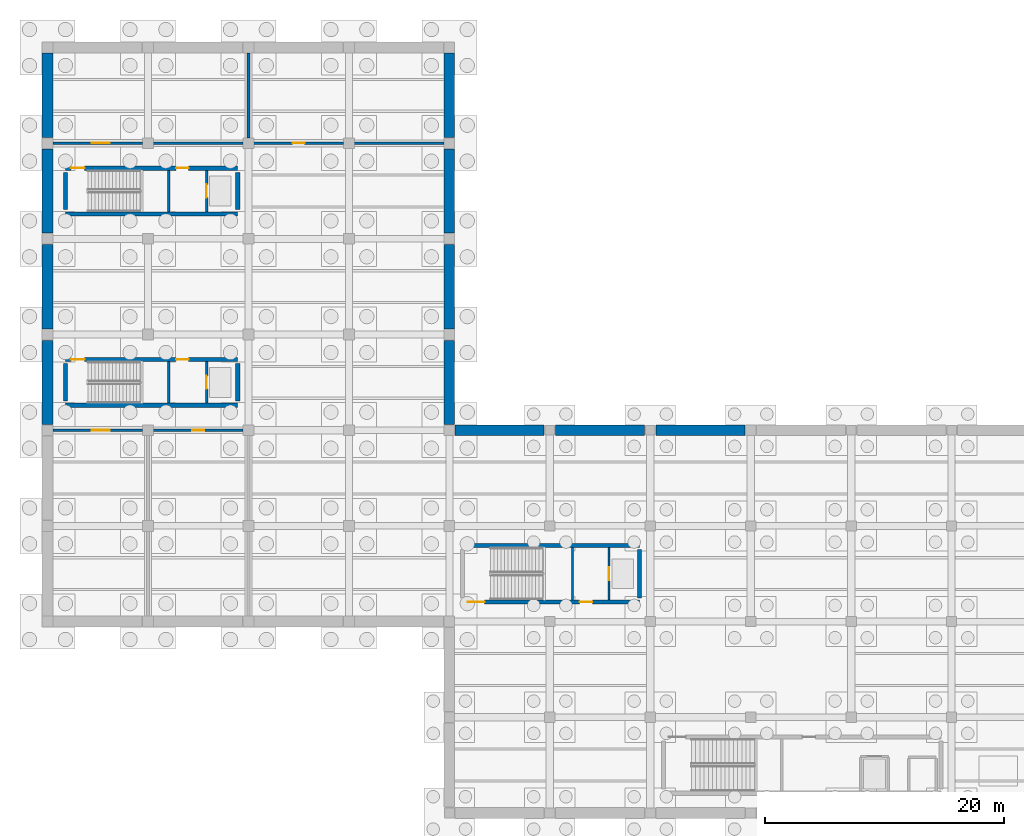
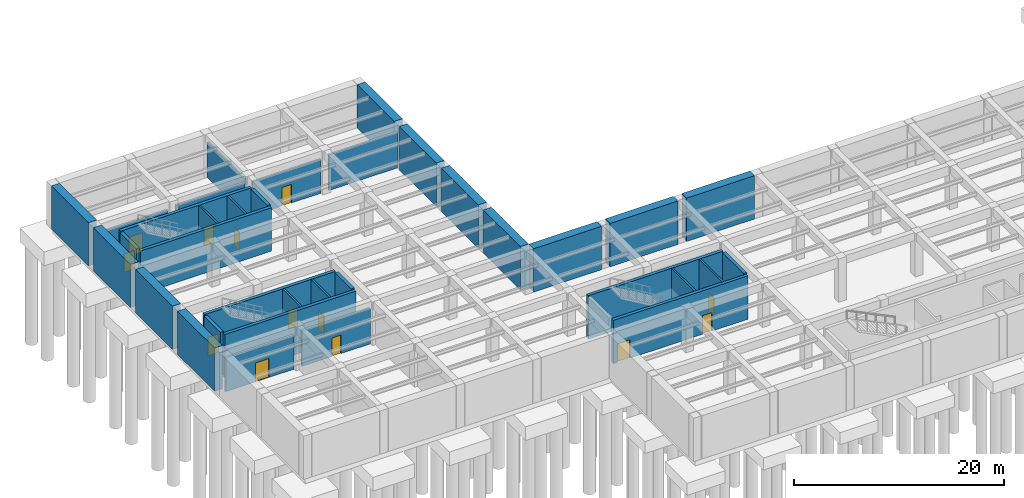
# One storey, part 6 of 12: 35 walls, 13 doors, 13 openings.
"""IFC4 building model written with IfcOpenShell, lengths in metres."""

from ifc_helpers import new_model, si_unit, direction, frame, frame_2d, origin, place, context, subcontext, project, spatial, rectangle, extrude, material, layer, layer_set, type_object, element, fill, save


model = new_model("IFC4")

# Units and contexts
model_context = context("Model", 3, precision=1e-05, world=origin(), true_north=direction((0.0, 1.0)))
body_context = subcontext(model_context, "Body", "Model", "MODEL_VIEW")
ifc_project = project(units=[si_unit("LENGTHUNIT", "METRE"), si_unit("AREAUNIT", "SQUARE_METRE"), si_unit("VOLUMEUNIT", "CUBIC_METRE"), si_unit("PLANEANGLEUNIT", "RADIAN"), si_unit("MASSUNIT", "GRAM", prefix="KILO")], contexts=[model_context])

# Site, building, storey
site_placement = place(None, origin())
site = spatial("IfcSite", under=ifc_project, at=site_placement, CompositionType="ELEMENT")
building_placement = place(site_placement, origin())
building = spatial("IfcBuilding", under=site, at=building_placement, Name="Kranzveld Transit Interchange", CompositionType="ELEMENT")
storey_placement = place(building_placement, frame((0.0, 0.0, -10.8798828125)))
storey = spatial("IfcBuildingStorey", under=building, at=storey_placement, Name="B2", CompositionType="ELEMENT", Elevation=-10.8798828125)

# Wall
ifc_material_1 = material(Name="Concrete C40/50", Category="concrete")
ifc_layer_1 = layer(ifc_material_1, 0.35009765625)
ifc_layer_set_1 = layer_set([ifc_layer_1], Name="Concrete C40/50")
wall_type_1 = type_object("IfcWallType", Name="Core Shear Wall RC 350 C40/50", PredefinedType="SHEAR", material=ifc_layer_set_1)
wall_1_placement = place(storey_placement, frame((1.5, 66.090087890625, 0.0), z_axis=(0.0, 0.0, 1.0), x_axis=(1.0, 0.0, 0.0)))
element("IfcWall", 1, at=wall_1_placement, inside=storey, type_object=wall_type_1, Name="B2 Operations Core C1 Shear Wall S", PredefinedType="SHEAR", context=body_context, shape_type="SweptSolid", body=[
    extrude(rectangle(XDim=14.39990234375, YDim=0.35009765625, at=frame_2d((7.199951171875, 0.0))), origin(), (0.0, 0.0, 1.0), 5.039794921875),
])

# Wall, openings, doors
wall_2_placement = place(storey_placement, frame((1.5, 69.909912109375, 0.0), z_axis=(0.0, 0.0, 1.0), x_axis=(1.0, 0.0, 0.0)))
wall_2 = element("IfcWall", 2, at=wall_2_placement, inside=storey, type_object=wall_type_1, Name="B2 Operations Core C1 Shear Wall N", PredefinedType="SHEAR", context=body_context, shape_type="SweptSolid", body=[
    extrude(rectangle(XDim=14.39990234375, YDim=0.35009765625, at=frame_2d((7.199951171875, 0.0))), origin(), (0.0, 0.0, 1.0), 5.039794921875),
])
opening_1_placement = place(wall_2_placement, frame((0.449951171875, 0.0, 0.0), z_axis=(0.0, 0.0, 1.0), x_axis=(1.0, 0.0, 0.0)))
opening_1 = element("IfcOpeningElement", 3, at=opening_1_placement, cuts=wall_2, Name="Opening D-ST-C1-B2", PredefinedType="OPENING", context=body_context, shape_type="SweptSolid", body=[
    extrude(rectangle(XDim=1.14990234375, YDim=2.14990234375, at=frame_2d((0.574951171875, 1.074951171875))), frame((0.0, 0.18505859375, 0.0), z_axis=(0.0, -1.0, 0.0), x_axis=(1.0, 0.0, 0.0)), (0.0, 0.0, 1.0), 0.3701171875),
])
opening_2_placement = place(wall_2_placement, frame((9.25, 0.0, 0.0), z_axis=(0.0, 0.0, 1.0), x_axis=(1.0, 0.0, 0.0)))
opening_2 = element("IfcOpeningElement", 4, at=opening_2_placement, cuts=wall_2, Name="Opening D-LB-C1-B2", PredefinedType="OPENING", context=body_context, shape_type="SweptSolid", body=[
    extrude(rectangle(XDim=1.050048828125, YDim=2.14990234375, at=frame_2d((0.52490234375, 1.074951171875))), frame((0.0, 0.18505859375, 0.0), z_axis=(0.0, -1.0, 0.0), x_axis=(1.0, 0.0, 0.0)), (0.0, 0.0, 1.0), 0.3701171875),
])
ifc_material_2 = material(Name="Steel S355JR", Category="steel")
door_type_1 = type_object("IfcDoorType", Name="Lift Lobby Fire Door 1050x2150 FD120S", OperationType="NOTDEFINED", PredefinedType="DOOR", material=ifc_material_2)
door_1_placement = place(opening_2_placement, origin())
door_1 = element("IfcDoor", 5, at=door_1_placement, inside=storey, type_object=door_type_1, Name="B2 Operations Core C1 Lift Protected Lobby Door", OperationType="SINGLE_SWING_RIGHT", OverallHeight=2.14990234375, OverallWidth=1.050048828125, PredefinedType="DOOR", context=body_context, shape_type="SweptSolid", body=[
    extrude(rectangle(XDim=1.050048828125, YDim=2.14990234375, at=frame_2d((0.52490234375, 1.074951171875))), frame((0.0, 0.02490234375, 0.0), z_axis=(0.0, -1.0, 0.0), x_axis=(1.0, 0.0, 0.0)), (0.0, 0.0, 1.0), 0.050048828125),
])
fill(opening_2, door_1)
ifc_material_3 = material(Name="Steel S355JR", Category="steel")
door_type_2 = type_object("IfcDoorType", Name="Stair Core Fire Door 1150x2150 FD120S", OperationType="NOTDEFINED", PredefinedType="DOOR", material=ifc_material_3)
door_2_placement = place(opening_1_placement, origin())
door_2 = element("IfcDoor", 6, at=door_2_placement, inside=storey, type_object=door_type_2, Name="B2 ST-C1 Protected Stair Door", OperationType="SINGLE_SWING_RIGHT", OverallHeight=2.14990234375, OverallWidth=1.14990234375, PredefinedType="DOOR", context=body_context, shape_type="SweptSolid", body=[
    extrude(rectangle(XDim=1.14990234375, YDim=2.14990234375, at=frame_2d((0.574951171875, 1.074951171875))), frame((0.0, 0.02490234375, 0.0), z_axis=(0.0, -1.0, 0.0), x_axis=(1.0, 0.0, 0.0)), (0.0, 0.0, 1.0), 0.050048828125),
])
fill(opening_1, door_2)

# Walls
for number, where, z_axis, x_axis, name in (
    (7, (1.5, 66.43994140625, 0.0), (0.0, 0.0, 1.0), (0.0, 1.0, 0.0), "B2 Operations Core C1 Shear Wall W"),
    (8, (15.89990234375, 66.43994140625, 0.0), (0.0, 0.0, 1.0), (0.0, 1.0, 0.0), "B2 Operations Core C1 Shear Wall E"),
):
    element("IfcWall", number, at=place(storey_placement, frame(where, z_axis=z_axis, x_axis=x_axis)), inside=storey, type_object=wall_type_1, Name=name, PredefinedType="SHEAR", context=body_context, shape_type="SweptSolid", body=[
        extrude(rectangle(XDim=3.1201171875, YDim=0.35009765625, at=frame_2d((1.56005859375, 0.0))), origin(), (0.0, 0.0, 1.0), 5.039794921875),
    ])
wall_3_placement = place(storey_placement, frame((1.5, 82.090087890625, 0.0), z_axis=(0.0, 0.0, 1.0), x_axis=(1.0, 0.0, 0.0)))
element("IfcWall", 9, at=wall_3_placement, inside=storey, type_object=wall_type_1, Name="B2 Operations Core C2 Shear Wall S", PredefinedType="SHEAR", context=body_context, shape_type="SweptSolid", body=[
    extrude(rectangle(XDim=14.39990234375, YDim=0.35009765625, at=frame_2d((7.199951171875, 0.0))), origin(), (0.0, 0.0, 1.0), 5.039794921875),
])

# Wall, openings, doors
wall_4_placement = place(storey_placement, frame((1.5, 85.909912109375, 0.0), z_axis=(0.0, 0.0, 1.0), x_axis=(1.0, 0.0, 0.0)))
wall_4 = element("IfcWall", 10, at=wall_4_placement, inside=storey, type_object=wall_type_1, Name="B2 Operations Core C2 Shear Wall N", PredefinedType="SHEAR", context=body_context, shape_type="SweptSolid", body=[
    extrude(rectangle(XDim=14.39990234375, YDim=0.35009765625, at=frame_2d((7.199951171875, 0.0))), origin(), (0.0, 0.0, 1.0), 5.039794921875),
])
opening_3_placement = place(wall_4_placement, frame((0.449951171875, 0.0, 0.0), z_axis=(0.0, 0.0, 1.0), x_axis=(1.0, 0.0, 0.0)))
opening_3 = element("IfcOpeningElement", 11, at=opening_3_placement, cuts=wall_4, Name="Opening D-ST-C2-B2", PredefinedType="OPENING", context=body_context, shape_type="SweptSolid", body=[
    extrude(rectangle(XDim=1.14990234375, YDim=2.14990234375, at=frame_2d((0.574951171875, 1.074951171875))), frame((0.0, 0.18505859375, 0.0), z_axis=(0.0, -1.0, 0.0), x_axis=(1.0, 0.0, 0.0)), (0.0, 0.0, 1.0), 0.3701171875),
])
opening_4_placement = place(wall_4_placement, frame((9.25, 0.0, 0.0), z_axis=(0.0, 0.0, 1.0), x_axis=(1.0, 0.0, 0.0)))
opening_4 = element("IfcOpeningElement", 12, at=opening_4_placement, cuts=wall_4, Name="Opening D-LB-C2-B2", PredefinedType="OPENING", context=body_context, shape_type="SweptSolid", body=[
    extrude(rectangle(XDim=1.050048828125, YDim=2.14990234375, at=frame_2d((0.52490234375, 1.074951171875))), frame((0.0, 0.18505859375, 0.0), z_axis=(0.0, -1.0, 0.0), x_axis=(1.0, 0.0, 0.0)), (0.0, 0.0, 1.0), 0.3701171875),
])
door_3_placement = place(opening_4_placement, origin())
door_3 = element("IfcDoor", 13, at=door_3_placement, inside=storey, type_object=door_type_1, Name="B2 Operations Core C2 Lift Protected Lobby Door", OperationType="SINGLE_SWING_RIGHT", OverallHeight=2.14990234375, OverallWidth=1.050048828125, PredefinedType="DOOR", context=body_context, shape_type="SweptSolid", body=[
    extrude(rectangle(XDim=1.050048828125, YDim=2.14990234375, at=frame_2d((0.52490234375, 1.074951171875))), frame((0.0, 0.02490234375, 0.0), z_axis=(0.0, -1.0, 0.0), x_axis=(1.0, 0.0, 0.0)), (0.0, 0.0, 1.0), 0.050048828125),
])
fill(opening_4, door_3)
door_4_placement = place(opening_3_placement, origin())
door_4 = element("IfcDoor", 14, at=door_4_placement, inside=storey, type_object=door_type_2, Name="B2 ST-C2 Protected Stair Door", OperationType="SINGLE_SWING_RIGHT", OverallHeight=2.14990234375, OverallWidth=1.14990234375, PredefinedType="DOOR", context=body_context, shape_type="SweptSolid", body=[
    extrude(rectangle(XDim=1.14990234375, YDim=2.14990234375, at=frame_2d((0.574951171875, 1.074951171875))), frame((0.0, 0.02490234375, 0.0), z_axis=(0.0, -1.0, 0.0), x_axis=(1.0, 0.0, 0.0)), (0.0, 0.0, 1.0), 0.050048828125),
])
fill(opening_3, door_4)

# Walls
for number, where, z_axis, x_axis, name in (
    (15, (1.5, 82.43994140625, 0.0), (0.0, 0.0, 1.0), (0.0, 1.0, 0.0), "B2 Operations Core C2 Shear Wall W"),
    (16, (15.89990234375, 82.43994140625, 0.0), (0.0, 0.0, 1.0), (0.0, 1.0, 0.0), "B2 Operations Core C2 Shear Wall E"),
):
    element("IfcWall", number, at=place(storey_placement, frame(where, z_axis=z_axis, x_axis=x_axis)), inside=storey, type_object=wall_type_1, Name=name, PredefinedType="SHEAR", context=body_context, shape_type="SweptSolid", body=[
        extrude(rectangle(XDim=3.1201171875, YDim=0.35009765625, at=frame_2d((1.56005859375, 0.0))), origin(), (0.0, 0.0, 1.0), 5.039794921875),
    ])

# Wall, openings, doors
wall_5_placement = place(storey_placement, frame((34.699951171875, 49.639892578125, 0.0), z_axis=(0.0, 0.0, 1.0), x_axis=(1.0, 0.0, 0.0)))
wall_5 = element("IfcWall", 17, at=wall_5_placement, inside=storey, type_object=wall_type_1, Name="B2 Metro West Core C5 Shear Wall S", PredefinedType="SHEAR", context=body_context, shape_type="SweptSolid", body=[
    extrude(rectangle(XDim=14.800048828125, YDim=0.35009765625, at=frame_2d((7.39990234375, 0.0))), origin(), (0.0, 0.0, 1.0), 5.039794921875),
])
opening_5_placement = place(wall_5_placement, frame((1.849853515625, 0.0, 0.0), z_axis=(0.0, 0.0, 1.0), x_axis=(-1.0, 0.0, 0.0)))
opening_5 = element("IfcOpeningElement", 18, at=opening_5_placement, cuts=wall_5, Name="Opening D-ST-C5-B2", PredefinedType="OPENING", context=body_context, shape_type="SweptSolid", body=[
    extrude(rectangle(XDim=1.39990234375, YDim=2.14990234375, at=frame_2d((0.699951171875, 1.074951171875))), frame((0.0, 0.18505859375, 0.0), z_axis=(0.0, -1.0, 0.0), x_axis=(1.0, 0.0, 0.0)), (0.0, 0.0, 1.0), 0.3701171875),
])
opening_6_placement = place(wall_5_placement, frame((10.85009765625, 0.0, 0.0), z_axis=(0.0, 0.0, 1.0), x_axis=(-1.0, 0.0, 0.0)))
opening_6 = element("IfcOpeningElement", 19, at=opening_6_placement, cuts=wall_5, Name="Opening D-LB-C5-B2", PredefinedType="OPENING", context=body_context, shape_type="SweptSolid", body=[
    extrude(rectangle(XDim=1.050048828125, YDim=2.14990234375, at=frame_2d((0.52490234375, 1.074951171875))), frame((0.0, 0.18505859375, 0.0), z_axis=(0.0, -1.0, 0.0), x_axis=(1.0, 0.0, 0.0)), (0.0, 0.0, 1.0), 0.3701171875),
])
door_5_placement = place(opening_6_placement, origin())
door_5 = element("IfcDoor", 20, at=door_5_placement, inside=storey, type_object=door_type_1, Name="B2 Metro West Core C5 Lift Protected Lobby Door", OperationType="SINGLE_SWING_RIGHT", OverallHeight=2.14990234375, OverallWidth=1.050048828125, PredefinedType="DOOR", context=body_context, shape_type="SweptSolid", body=[
    extrude(rectangle(XDim=1.050048828125, YDim=2.14990234375, at=frame_2d((0.52490234375, 1.074951171875))), frame((0.0, 0.02490234375, 0.0), z_axis=(0.0, -1.0, 0.0), x_axis=(1.0, 0.0, 0.0)), (0.0, 0.0, 1.0), 0.050048828125),
])
fill(opening_6, door_5)
ifc_material_4 = material(Name="Steel S355JR", Category="steel")
door_type_3 = type_object("IfcDoorType", Name="Metro Stair Double Fire Door 1400x2150 FD120S", OperationType="NOTDEFINED", PredefinedType="DOOR", material=ifc_material_4)
door_6_placement = place(opening_5_placement, origin())
door_6 = element("IfcDoor", 21, at=door_6_placement, inside=storey, type_object=door_type_3, Name="B2 ST-M1 Protected Stair Door", OperationType="DOUBLE_DOOR_SINGLE_SWING", OverallHeight=2.14990234375, OverallWidth=1.39990234375, PredefinedType="DOOR", context=body_context, shape_type="SweptSolid", body=[
    extrude(rectangle(XDim=1.39990234375, YDim=2.14990234375, at=frame_2d((0.699951171875, 1.074951171875))), frame((0.0, 0.02490234375, 0.0), z_axis=(0.0, -1.0, 0.0), x_axis=(1.0, 0.0, 0.0)), (0.0, 0.0, 1.0), 0.050048828125),
])
fill(opening_5, door_6)

# Walls
wall_6_placement = place(storey_placement, frame((34.699951171875, 54.360107421875, 0.0), z_axis=(0.0, 0.0, 1.0), x_axis=(1.0, 0.0, 0.0)))
element("IfcWall", 22, at=wall_6_placement, inside=storey, type_object=wall_type_1, Name="B2 Metro West Core C5 Shear Wall N", PredefinedType="SHEAR", context=body_context, shape_type="SweptSolid", body=[
    extrude(rectangle(XDim=14.800048828125, YDim=0.35009765625, at=frame_2d((7.39990234375, 0.0))), origin(), (0.0, 0.0, 1.0), 5.039794921875),
])
wall_7_placement = place(storey_placement, frame((49.5, 49.989990234375, 0.0), z_axis=(0.0, 0.0, 1.0), x_axis=(0.0, 1.0, 0.0)))
element("IfcWall", 23, at=wall_7_placement, inside=storey, type_object=wall_type_1, Name="B2 Metro West Core C5 Shear Wall E", PredefinedType="SHEAR", context=body_context, shape_type="SweptSolid", body=[
    extrude(rectangle(XDim=4.02001953125, YDim=0.35009765625, at=frame_2d((2.010009765625, 0.0))), origin(), (0.0, 0.0, 1.0), 5.039794921875),
])
ifc_material_5 = material(Name="Concrete C40/50", Category="concrete")
ifc_layer_2 = layer(ifc_material_5, 0.89990234375)
ifc_layer_set_2 = layer_set([ifc_layer_2], Name="Concrete C40/50")
wall_type_2 = type_object("IfcWallType", Name="Diaphragm Wall RC 900 C40/50", PredefinedType="SHEAR", material=ifc_layer_set_2)
for number, where, z_axis, x_axis, name in (
    (24, (0.0, 64.47998046875, 0.0), (0.0, 0.0, 1.0), (0.0, 1.0, 0.0), "B2 Perimeter Retaining Wall 20"),
    (25, (0.0, 72.47998046875, 0.0), (0.0, 0.0, 1.0), (0.0, 1.0, 0.0), "B2 Perimeter Retaining Wall 21"),
    (26, (0.0, 80.47998046875, 0.0), (0.0, 0.0, 1.0), (0.0, 1.0, 0.0), "B2 Perimeter Retaining Wall 22"),
    (27, (0.0, 88.47998046875, 0.0), (0.0, 0.0, 1.0), (0.0, 1.0, 0.0), "B2 Perimeter Retaining Wall 23"),
    (28, (33.60009765625, 64.47998046875, 0.0), (0.0, 0.0, 1.0), (0.0, 1.0, 0.0), "B2 Perimeter Retaining Wall 28"),
    (29, (33.60009765625, 72.47998046875, 0.0), (0.0, 0.0, 1.0), (0.0, 1.0, 0.0), "B2 Perimeter Retaining Wall 29"),
    (30, (33.60009765625, 80.47998046875, 0.0), (0.0, 0.0, 1.0), (0.0, 1.0, 0.0), "B2 Perimeter Retaining Wall 30"),
    (31, (33.60009765625, 88.47998046875, 0.0), (0.0, 0.0, 1.0), (0.0, 1.0, 0.0), "B2 Perimeter Retaining Wall 31"),
):
    element("IfcWall", number, at=place(storey_placement, frame(where, z_axis=z_axis, x_axis=x_axis)), inside=storey, type_object=wall_type_2, Name=name, PredefinedType="SHEAR", context=body_context, shape_type="SweptSolid", body=[
        extrude(rectangle(XDim=7.0400390625, YDim=0.89990234375, at=frame_2d((3.52001953125, 0.0))), origin(), (0.0, 0.0, 1.0), 5.039794921875),
    ])
for number, where, z_axis, x_axis, name in (
    (32, (34.080078125, 64.0, 0.0), (0.0, 0.0, 1.0), (1.0, 0.0, 0.0), "B2 Perimeter Retaining Wall 32"),
    (33, (42.47998046875, 64.0, 0.0), (0.0, 0.0, 1.0), (1.0, 0.0, 0.0), "B2 Perimeter Retaining Wall 33"),
):
    element("IfcWall", number, at=place(storey_placement, frame(where, z_axis=z_axis, x_axis=x_axis)), inside=storey, type_object=wall_type_2, Name=name, PredefinedType="SHEAR", context=body_context, shape_type="SweptSolid", body=[
        extrude(rectangle(XDim=7.43994140625, YDim=0.89990234375, at=frame_2d((3.719970703125, 0.0))), origin(), (0.0, 0.0, 1.0), 5.039794921875),
    ])
wall_8_placement = place(storey_placement, frame((50.8798828125, 64.0, 0.0), z_axis=(0.0, 0.0, 1.0), x_axis=(1.0, 0.0, 0.0)))
element("IfcWall", 34, at=wall_8_placement, inside=storey, type_object=wall_type_2, Name="B2 Perimeter Retaining Wall 34", PredefinedType="SHEAR", context=body_context, shape_type="SweptSolid", body=[
    extrude(rectangle(XDim=7.440185546875, YDim=0.89990234375, at=frame_2d((3.72021484375, 0.0))), origin(), (0.0, 0.0, 1.0), 5.039794921875),
])

# Wall, opening, door
ifc_material_6 = material(Name="Clay masonry unit wall, 20 MPa", Category="masonry")
ifc_layer_3 = layer(ifc_material_6, 0.22998046875)
ifc_layer_set_3 = layer_set([ifc_layer_3], Name="Clay masonry unit wall, 20 MPa")
wall_type_3 = type_object("IfcWallType", Name="Fire Compartment Wall Masonry 230 EI120", PredefinedType="PARTITIONING", material=ifc_layer_set_3)
wall_9_placement = place(storey_placement, frame((0.43994140625, 64.0, 0.0), z_axis=(0.0, 0.0, 1.0), x_axis=(1.0, 0.0, 0.0)))
wall_9 = element("IfcWall", 35, at=wall_9_placement, inside=storey, type_object=wall_type_3, Name="B2 Partition IW-B2-B2W-FRT-B207-0", PredefinedType="PARTITIONING", context=body_context, shape_type="SweptSolid", body=[
    extrude(rectangle(XDim=7.52001953125, YDim=0.22998046875, at=frame_2d((3.760009765625, 0.0))), origin(), (0.0, 0.0, 1.0), 3.93994140625),
])
opening_7_placement = place(wall_9_placement, frame((4.760009765625, 0.0, 0.0), z_axis=(0.0, 0.0, 1.0), x_axis=(-1.0, 0.0, 0.0)))
opening_7 = element("IfcOpeningElement", 36, at=opening_7_placement, cuts=wall_9, Name="Opening D-B207", PredefinedType="OPENING", context=body_context, shape_type="SweptSolid", body=[
    extrude(rectangle(XDim=1.5, YDim=2.199951171875, at=frame_2d((0.75, 1.10009765625))), frame((0.0, 0.125, 0.0), z_axis=(0.0, -1.0, 0.0), x_axis=(1.0, 0.0, 0.0)), (0.0, 0.0, 1.0), 0.25),
])
ifc_material_7 = material(Name="Steel S355JR", Category="steel")
door_type_4 = type_object("IfcDoorType", Name="Substation Double Fire Door 1500x2200 FD120S", OperationType="NOTDEFINED", PredefinedType="DOOR", material=ifc_material_7)
door_7_placement = place(opening_7_placement, origin())
door_7 = element("IfcDoor", 37, at=door_7_placement, inside=storey, type_object=door_type_4, Name="B2 Interior Door D-B207", OperationType="SINGLE_SWING_LEFT", OverallHeight=2.199951171875, OverallWidth=1.5, PredefinedType="DOOR", context=body_context, shape_type="SweptSolid", body=[
    extrude(rectangle(XDim=1.5, YDim=2.199951171875, at=frame_2d((0.75, 1.10009765625))), frame((0.0, 0.02490234375, 0.0), z_axis=(0.0, -1.0, 0.0), x_axis=(1.0, 0.0, 0.0)), (0.0, 0.0, 1.0), 0.050048828125),
])
fill(opening_7, door_7)

wall_10_placement = place(storey_placement, frame((8.840087890625, 64.0, 0.0), z_axis=(0.0, 0.0, 1.0), x_axis=(1.0, 0.0, 0.0)))
wall_10 = element("IfcWall", 38, at=wall_10_placement, inside=storey, type_object=wall_type_3, Name="B2 Partition IW-B2-B2W-FRT-B208-0", PredefinedType="PARTITIONING", context=body_context, shape_type="SweptSolid", body=[
    extrude(rectangle(XDim=7.52001953125, YDim=0.22998046875, at=frame_2d((3.760009765625, 0.0))), origin(), (0.0, 0.0, 1.0), 4.139892578125),
])
opening_8_placement = place(wall_10_placement, frame((4.260009765625, 0.0, 0.0), z_axis=(0.0, 0.0, 1.0), x_axis=(-1.0, 0.0, 0.0)))
opening_8 = element("IfcOpeningElement", 39, at=opening_8_placement, cuts=wall_10, Name="Opening D-B208", PredefinedType="OPENING", context=body_context, shape_type="SweptSolid", body=[
    extrude(rectangle(XDim=1.0, YDim=2.14990234375, at=frame_2d((0.5, 1.074951171875))), frame((0.0, 0.125, 0.0), z_axis=(0.0, -1.0, 0.0), x_axis=(1.0, 0.0, 0.0)), (0.0, 0.0, 1.0), 0.25),
])
ifc_material_8 = material(Name="Steel S355JR", Category="steel")
door_type_5 = type_object("IfcDoorType", Name="Fire Door Single 1000x2150 FD120S", OperationType="NOTDEFINED", PredefinedType="DOOR", material=ifc_material_8)
door_8_placement = place(opening_8_placement, origin())
door_8 = element("IfcDoor", 40, at=door_8_placement, inside=storey, type_object=door_type_5, Name="B2 Interior Door D-B208", OperationType="SINGLE_SWING_RIGHT", OverallHeight=2.14990234375, OverallWidth=1.0, PredefinedType="DOOR", context=body_context, shape_type="SweptSolid", body=[
    extrude(rectangle(XDim=1.0, YDim=2.14990234375, at=frame_2d((0.5, 1.074951171875))), frame((0.0, 0.02490234375, 0.0), z_axis=(0.0, -1.0, 0.0), x_axis=(1.0, 0.0, 0.0)), (0.0, 0.0, 1.0), 0.050048828125),
])
fill(opening_8, door_8)

wall_11_placement = place(storey_placement, frame((0.43994140625, 88.0, 0.0), z_axis=(0.0, 0.0, 1.0), x_axis=(1.0, 0.0, 0.0)))
wall_11 = element("IfcWall", 41, at=wall_11_placement, inside=storey, type_object=wall_type_3, Name="B2 Partition IW-B2-B2N-FRT-B209-0", PredefinedType="PARTITIONING", context=body_context, shape_type="SweptSolid", body=[
    extrude(rectangle(XDim=7.52001953125, YDim=0.22998046875, at=frame_2d((3.760009765625, 0.0))), origin(), (0.0, 0.0, 1.0), 3.93994140625),
])
opening_9_placement = place(wall_11_placement, frame((3.260009765625, 0.0, 0.0), z_axis=(0.0, 0.0, 1.0), x_axis=(1.0, 0.0, 0.0)))
opening_9 = element("IfcOpeningElement", 42, at=opening_9_placement, cuts=wall_11, Name="Opening D-B209", PredefinedType="OPENING", context=body_context, shape_type="SweptSolid", body=[
    extrude(rectangle(XDim=1.5, YDim=2.199951171875, at=frame_2d((0.75, 1.10009765625))), frame((0.0, 0.125, 0.0), z_axis=(0.0, -1.0, 0.0), x_axis=(1.0, 0.0, 0.0)), (0.0, 0.0, 1.0), 0.25),
])
door_9_placement = place(opening_9_placement, origin())
door_9 = element("IfcDoor", 43, at=door_9_placement, inside=storey, type_object=door_type_4, Name="B2 Interior Door D-B209", OperationType="SINGLE_SWING_LEFT", OverallHeight=2.199951171875, OverallWidth=1.5, PredefinedType="DOOR", context=body_context, shape_type="SweptSolid", body=[
    extrude(rectangle(XDim=1.5, YDim=2.199951171875, at=frame_2d((0.75, 1.10009765625))), frame((0.0, 0.02490234375, 0.0), z_axis=(0.0, -1.0, 0.0), x_axis=(1.0, 0.0, 0.0)), (0.0, 0.0, 1.0), 0.050048828125),
])
fill(opening_9, door_9)

wall_12_placement = place(storey_placement, frame((17.239990234375, 88.0, 0.0), z_axis=(0.0, 0.0, 1.0), x_axis=(1.0, 0.0, 0.0)))
wall_12 = element("IfcWall", 44, at=wall_12_placement, inside=storey, type_object=wall_type_3, Name="B2 Partition IW-B2-B2N-FRT-B212-0", PredefinedType="PARTITIONING", context=body_context, shape_type="SweptSolid", body=[
    extrude(rectangle(XDim=7.52001953125, YDim=0.22998046875, at=frame_2d((3.760009765625, 0.0))), origin(), (0.0, 0.0, 1.0), 3.93994140625),
])
opening_10_placement = place(wall_12_placement, frame((3.260009765625, 0.0, 0.0), z_axis=(0.0, 0.0, 1.0), x_axis=(1.0, 0.0, 0.0)))
opening_10 = element("IfcOpeningElement", 45, at=opening_10_placement, cuts=wall_12, Name="Opening D-B212", PredefinedType="OPENING", context=body_context, shape_type="SweptSolid", body=[
    extrude(rectangle(XDim=1.0, YDim=2.14990234375, at=frame_2d((0.5, 1.074951171875))), frame((0.0, 0.125, 0.0), z_axis=(0.0, -1.0, 0.0), x_axis=(1.0, 0.0, 0.0)), (0.0, 0.0, 1.0), 0.25),
])
door_10_placement = place(opening_10_placement, origin())
door_10 = element("IfcDoor", 46, at=door_10_placement, inside=storey, type_object=door_type_5, Name="B2 Interior Door D-B212", OperationType="SINGLE_SWING_RIGHT", OverallHeight=2.14990234375, OverallWidth=1.0, PredefinedType="DOOR", context=body_context, shape_type="SweptSolid", body=[
    extrude(rectangle(XDim=1.0, YDim=2.14990234375, at=frame_2d((0.5, 1.074951171875))), frame((0.0, 0.02490234375, 0.0), z_axis=(0.0, -1.0, 0.0), x_axis=(1.0, 0.0, 0.0)), (0.0, 0.0, 1.0), 0.050048828125),
])
fill(opening_10, door_10)

# Walls
wall_13_placement = place(storey_placement, frame((8.840087890625, 88.0, 0.0), z_axis=(0.0, 0.0, 1.0), x_axis=(1.0, 0.0, 0.0)))
element("IfcWall", 47, at=wall_13_placement, inside=storey, type_object=wall_type_3, Name="B2 Partition IW-B2-B2N-FRT-B209-1", PredefinedType="PARTITIONING", context=body_context, shape_type="SweptSolid", body=[
    extrude(rectangle(XDim=7.52001953125, YDim=0.22998046875, at=frame_2d((3.760009765625, 0.0))), origin(), (0.0, 0.0, 1.0), 4.139892578125),
])
wall_14_placement = place(storey_placement, frame((16.800048828125, 88.43994140625, 0.0), z_axis=(0.0, 0.0, 1.0), x_axis=(0.0, 1.0, 0.0)))
element("IfcWall", 48, at=wall_14_placement, inside=storey, type_object=wall_type_3, Name="B2 Partition IW-B2-B2N-E-B209-0", PredefinedType="PARTITIONING", context=body_context, shape_type="SweptSolid", body=[
    extrude(rectangle(XDim=7.1201171875, YDim=0.22998046875, at=frame_2d((3.56005859375, 0.0))), origin(), (0.0, 0.0, 1.0), 4.08984375),
])
wall_15_placement = place(storey_placement, frame((25.639892578125, 88.0, 0.0), z_axis=(0.0, 0.0, 1.0), x_axis=(1.0, 0.0, 0.0)))
element("IfcWall", 49, at=wall_15_placement, inside=storey, type_object=wall_type_3, Name="B2 Partition IW-B2-B2N-FRT-B212-1", PredefinedType="PARTITIONING", context=body_context, shape_type="SweptSolid", body=[
    extrude(rectangle(XDim=7.52001953125, YDim=0.22998046875, at=frame_2d((3.760009765625, 0.0))), origin(), (0.0, 0.0, 1.0), 4.139892578125),
])
ifc_material_9 = material(Name="Concrete C40/50", Category="concrete")
ifc_layer_4 = layer(ifc_material_9, 0.199951171875)
ifc_layer_set_4 = layer_set([ifc_layer_4], Name="Concrete C40/50")
wall_type_4 = type_object("IfcWallType", Name="Lift Shaft Enclosure Wall RC 200 EI120", PredefinedType="SHEAR", material=ifc_layer_set_4)
wall_16_placement = place(storey_placement, frame((10.14990234375, 66.264892578125, 0.0), z_axis=(0.0, 0.0, 1.0), x_axis=(0.0, 1.0, 0.0)))
element("IfcWall", 50, at=wall_16_placement, inside=storey, type_object=wall_type_4, Name="B2 Operations Core C1 Stair-Lobby Dividing Wall", PredefinedType="SHEAR", context=body_context, shape_type="SweptSolid", body=[
    extrude(rectangle(XDim=3.47021484375, YDim=0.199951171875, at=frame_2d((1.735107421875, 0.0))), origin(), (0.0, 0.0, 1.0), 5.039794921875),
])

# Wall, opening, door
wall_17_placement = place(storey_placement, frame((13.300048828125, 66.264892578125, 0.0), z_axis=(0.0, 0.0, 1.0), x_axis=(0.0, 1.0, 0.0)))
wall_17 = element("IfcWall", 51, at=wall_17_placement, inside=storey, type_object=wall_type_4, Name="B2 LF-C1 Shaft Front Wall", PredefinedType="SHEAR", context=body_context, shape_type="SweptSolid", body=[
    extrude(rectangle(XDim=3.47021484375, YDim=0.199951171875, at=frame_2d((1.735107421875, 0.0))), origin(), (0.0, 0.0, 1.0), 5.039794921875),
])
opening_11_placement = place(wall_17_placement, frame((1.18505859375, 0.0, 0.0), z_axis=(0.0, 0.0, 1.0), x_axis=(1.0, 0.0, 0.0)))
opening_11 = element("IfcOpeningElement", 52, at=opening_11_placement, cuts=wall_17, Name="Opening LD-LF-C1-B2", PredefinedType="OPENING", context=body_context, shape_type="SweptSolid", body=[
    extrude(rectangle(XDim=1.10009765625, YDim=2.14990234375, at=frame_2d((0.550048828125, 1.074951171875))), frame((0.0, 0.10986328125, 0.0), z_axis=(0.0, -1.0, 0.0), x_axis=(1.0, 0.0, 0.0)), (0.0, 0.0, 1.0), 0.219970703125),
])
ifc_material_10 = material(Name="Steel S355JR", Category="steel")
door_type_6 = type_object("IfcDoorType", Name="Lift Landing Sliding Door 1100x2150 FD120S", OperationType="NOTDEFINED", PredefinedType="DOOR", material=ifc_material_10)
door_11_placement = place(opening_11_placement, origin())
door_11 = element("IfcDoor", 53, at=door_11_placement, inside=storey, type_object=door_type_6, Name="B2 LF-C1 Sliding Landing Door", OperationType="DOUBLE_DOOR_SLIDING", OverallHeight=2.14990234375, OverallWidth=1.10009765625, PredefinedType="DOOR", context=body_context, shape_type="SweptSolid", body=[
    extrude(rectangle(XDim=1.10009765625, YDim=2.14990234375, at=frame_2d((0.550048828125, 1.074951171875))), frame((0.0, 0.02490234375, 0.0), z_axis=(0.0, -1.0, 0.0), x_axis=(1.0, 0.0, 0.0)), (0.0, 0.0, 1.0), 0.050048828125),
])
fill(opening_11, door_11)

# Wall
wall_18_placement = place(storey_placement, frame((10.14990234375, 82.264892578125, 0.0), z_axis=(0.0, 0.0, 1.0), x_axis=(0.0, 1.0, 0.0)))
element("IfcWall", 54, at=wall_18_placement, inside=storey, type_object=wall_type_4, Name="B2 Operations Core C2 Stair-Lobby Dividing Wall", PredefinedType="SHEAR", context=body_context, shape_type="SweptSolid", body=[
    extrude(rectangle(XDim=3.47021484375, YDim=0.199951171875, at=frame_2d((1.735107421875, 0.0))), origin(), (0.0, 0.0, 1.0), 5.039794921875),
])

# Wall, opening, door
wall_19_placement = place(storey_placement, frame((13.300048828125, 82.264892578125, 0.0), z_axis=(0.0, 0.0, 1.0), x_axis=(0.0, 1.0, 0.0)))
wall_19 = element("IfcWall", 55, at=wall_19_placement, inside=storey, type_object=wall_type_4, Name="B2 LF-C2 Shaft Front Wall", PredefinedType="SHEAR", context=body_context, shape_type="SweptSolid", body=[
    extrude(rectangle(XDim=3.47021484375, YDim=0.199951171875, at=frame_2d((1.735107421875, 0.0))), origin(), (0.0, 0.0, 1.0), 5.039794921875),
])
opening_12_placement = place(wall_19_placement, frame((1.18505859375, 0.0, 0.0), z_axis=(0.0, 0.0, 1.0), x_axis=(1.0, 0.0, 0.0)))
opening_12 = element("IfcOpeningElement", 56, at=opening_12_placement, cuts=wall_19, Name="Opening LD-LF-C2-B2", PredefinedType="OPENING", context=body_context, shape_type="SweptSolid", body=[
    extrude(rectangle(XDim=1.10009765625, YDim=2.14990234375, at=frame_2d((0.550048828125, 1.074951171875))), frame((0.0, 0.10986328125, 0.0), z_axis=(0.0, -1.0, 0.0), x_axis=(1.0, 0.0, 0.0)), (0.0, 0.0, 1.0), 0.219970703125),
])
door_12_placement = place(opening_12_placement, origin())
door_12 = element("IfcDoor", 57, at=door_12_placement, inside=storey, type_object=door_type_6, Name="B2 LF-C2 Sliding Landing Door", OperationType="DOUBLE_DOOR_SLIDING", OverallHeight=2.14990234375, OverallWidth=1.10009765625, PredefinedType="DOOR", context=body_context, shape_type="SweptSolid", body=[
    extrude(rectangle(XDim=1.10009765625, YDim=2.14990234375, at=frame_2d((0.550048828125, 1.074951171875))), frame((0.0, 0.02490234375, 0.0), z_axis=(0.0, -1.0, 0.0), x_axis=(1.0, 0.0, 0.0)), (0.0, 0.0, 1.0), 0.050048828125),
])
fill(opening_12, door_12)

# Wall
wall_20_placement = place(storey_placement, frame((43.89990234375, 49.81494140625, 0.0), z_axis=(0.0, 0.0, 1.0), x_axis=(0.0, 1.0, 0.0)))
element("IfcWall", 58, at=wall_20_placement, inside=storey, type_object=wall_type_4, Name="B2 Metro West Core C5 Stair-Lobby Dividing Wall", PredefinedType="SHEAR", context=body_context, shape_type="SweptSolid", body=[
    extrude(rectangle(XDim=4.3701171875, YDim=0.199951171875, at=frame_2d((2.18505859375, 0.0))), origin(), (0.0, 0.0, 1.0), 5.039794921875),
])

# Wall, opening, door
wall_21_placement = place(storey_placement, frame((46.949951171875, 49.81494140625, 0.0), z_axis=(0.0, 0.0, 1.0), x_axis=(0.0, 1.0, 0.0)))
wall_21 = element("IfcWall", 59, at=wall_21_placement, inside=storey, type_object=wall_type_4, Name="B2 LF-M1 Shaft Front Wall", PredefinedType="SHEAR", context=body_context, shape_type="SweptSolid", body=[
    extrude(rectangle(XDim=4.3701171875, YDim=0.199951171875, at=frame_2d((2.18505859375, 0.0))), origin(), (0.0, 0.0, 1.0), 5.039794921875),
])
opening_13_placement = place(wall_21_placement, frame((1.635009765625, 0.0, 0.0), z_axis=(0.0, 0.0, 1.0), x_axis=(1.0, 0.0, 0.0)))
opening_13 = element("IfcOpeningElement", 60, at=opening_13_placement, cuts=wall_21, Name="Opening LD-LF-M1-B2", PredefinedType="OPENING", context=body_context, shape_type="SweptSolid", body=[
    extrude(rectangle(XDim=1.10009765625, YDim=2.14990234375, at=frame_2d((0.550048828125, 1.074951171875))), frame((0.0, 0.10986328125, 0.0), z_axis=(0.0, -1.0, 0.0), x_axis=(1.0, 0.0, 0.0)), (0.0, 0.0, 1.0), 0.219970703125),
])
door_13_placement = place(opening_13_placement, origin())
door_13 = element("IfcDoor", 61, at=door_13_placement, inside=storey, type_object=door_type_6, Name="B2 LF-M1 Sliding Landing Door", OperationType="DOUBLE_DOOR_SLIDING", OverallHeight=2.14990234375, OverallWidth=1.10009765625, PredefinedType="DOOR", context=body_context, shape_type="SweptSolid", body=[
    extrude(rectangle(XDim=1.10009765625, YDim=2.14990234375, at=frame_2d((0.550048828125, 1.074951171875))), frame((0.0, 0.02490234375, 0.0), z_axis=(0.0, -1.0, 0.0), x_axis=(1.0, 0.0, 0.0)), (0.0, 0.0, 1.0), 0.050048828125),
])
fill(opening_13, door_13)

save(model, "model.ifc")
